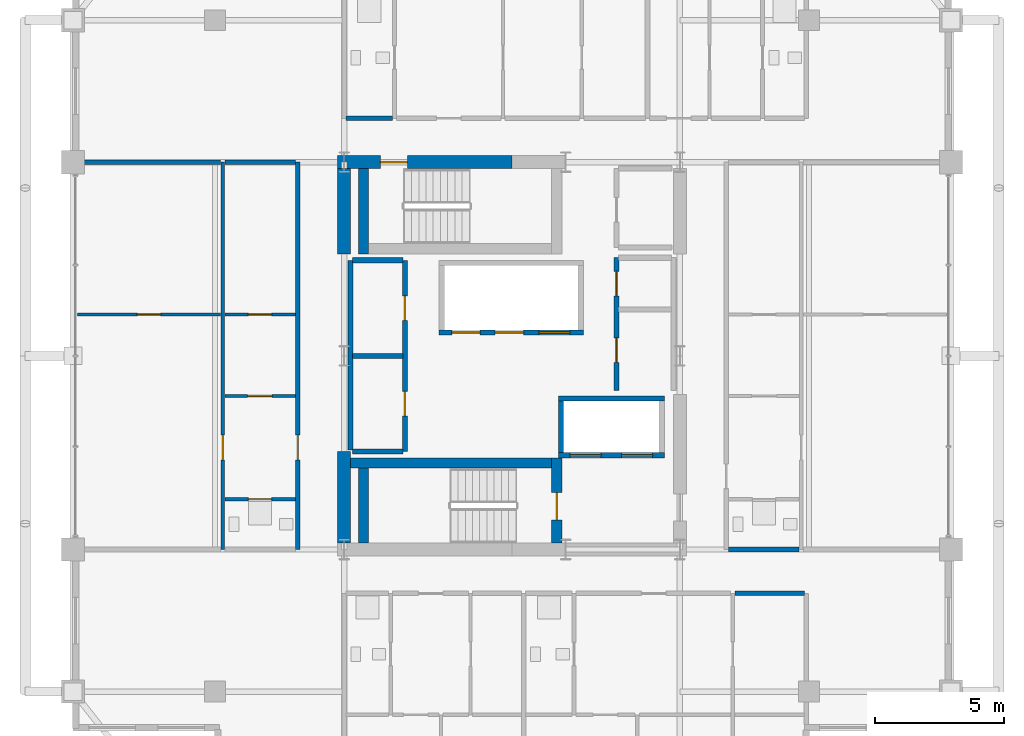
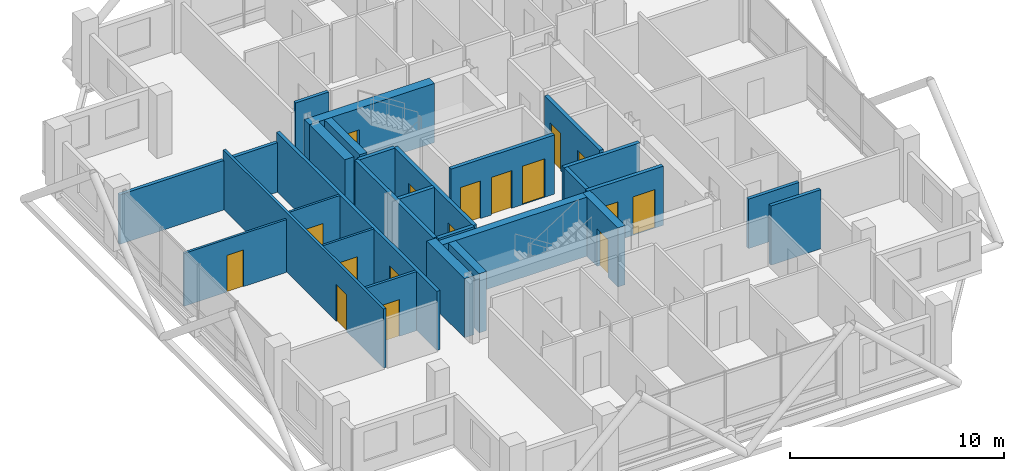
# One storey, part 20 of 25: 28 walls, 17 doors, 17 openings.
"""IFC4 building model written with IfcOpenShell, lengths in metres."""

from ifc_helpers import new_model, si_unit, direction, frame, frame_2d, origin, place, context, subcontext, project, spatial, rectangle, extrude, material, layer, layer_set, type_object, element, fill, save


model = new_model("IFC4")

# Units and contexts
model_context = context("Model", 3, precision=1e-05, world=origin(), true_north=direction((0.0, 1.0)))
body_context = subcontext(model_context, "Body", "Model", "MODEL_VIEW")
ifc_project = project(units=[si_unit("LENGTHUNIT", "METRE"), si_unit("AREAUNIT", "SQUARE_METRE"), si_unit("VOLUMEUNIT", "CUBIC_METRE"), si_unit("PLANEANGLEUNIT", "RADIAN"), si_unit("MASSUNIT", "GRAM", prefix="KILO")], contexts=[model_context])

# Site, building, storey
site_placement = place(None, origin())
site = spatial("IfcSite", under=ifc_project, at=site_placement, CompositionType="ELEMENT")
building_placement = place(site_placement, origin())
building = spatial("IfcBuilding", under=site, at=building_placement, Name="Barlavira Tower and Art Museum", CompositionType="ELEMENT")
storey_placement = place(building_placement, frame((0.0, 0.0, 229.5)))
storey = spatial("IfcBuildingStorey", under=building, at=storey_placement, Name="L59", CompositionType="ELEMENT", Elevation=229.5)

# Wall, opening, door
ifc_material_1 = material(Name="Gypsum acoustic stud partition", Category="gypsum")
ifc_layer_1 = layer(ifc_material_1, 0.1201171875, Name="Gypsum acoustic stud partition")
ifc_layer_set_1 = layer_set([ifc_layer_1], Name="Gypsum acoustic stud partition")
wall_type_1 = type_object("IfcWallType", Name="Apartment Internal Acoustic Partition 120", PredefinedType="PARTITIONING", material=ifc_layer_set_1)
wall_1_placement = place(storey_placement, frame((-11.1201171875, -1.550048828125, 0.0), z_axis=(0.0, 0.0, 1.0), x_axis=(1.0, 0.0, 0.0)))
wall_1 = element("IfcWall", 1, at=wall_1_placement, inside=storey, type_object=wall_type_1, Name="L59 Partition Wall 51", PredefinedType="PARTITIONING", context=body_context, shape_type="SweptSolid", body=[
    extrude(rectangle(XDim=2.740234375, YDim=0.1201171875, at=frame_2d((1.3701171875, 0.0))), origin(), (0.0, 0.0, 1.0), 3.3798828125),
])
opening_1_placement = place(wall_1_placement, frame((0.885009765625, 0.0, 0.0)))
opening_1 = element("IfcOpeningElement", 2, at=opening_1_placement, cuts=wall_1, Name="Opening D-02", PredefinedType="OPENING", context=body_context, shape_type="SweptSolid", body=[
    extrude(rectangle(XDim=0.949951171875, YDim=2.10009765625, at=frame_2d((0.47509765625, 1.050048828125))), frame((0.0, 0.070068359375, 0.0), z_axis=(0.0, -1.0, 0.0), x_axis=(1.0, 0.0, 0.0)), (0.0, 0.0, 1.0), 0.14013671875),
])
ifc_material_2 = material(Name="Engineered coastal hardwood", Category="wood")
door_type_1 = type_object("IfcDoorType", Name="Living and Salon Glazed-Leaf Door 950x2100", OperationType="NOTDEFINED", PredefinedType="DOOR", material=ifc_material_2)
door_1_placement = place(opening_1_placement, origin())
door_1 = element("IfcDoor", 3, at=door_1_placement, inside=storey, type_object=door_type_1, Name="Apartment W1 Kitchen Door", OperationType="SINGLE_SWING_LEFT", OverallHeight=2.10009765625, OverallWidth=0.949951171875, PredefinedType="DOOR", context=body_context, shape_type="SweptSolid", body=[
    extrude(rectangle(XDim=0.949951171875, YDim=2.10009765625, at=frame_2d((0.47509765625, 1.050048828125))), frame((0.0, 0.02490234375, 0.0), z_axis=(0.0, -1.0, 0.0), x_axis=(1.0, 0.0, 0.0)), (0.0, 0.0, 1.0), 0.050048828125),
])
fill(opening_1, door_1)

wall_2_placement = place(storey_placement, frame((-16.820068359375, 1.60009765625, 0.0), z_axis=(0.0, 0.0, 1.0), x_axis=(1.0, 0.0, 0.0)))
wall_2 = element("IfcWall", 4, at=wall_2_placement, inside=storey, type_object=wall_type_1, Name="L59 Partition Wall 54", PredefinedType="PARTITIONING", context=body_context, shape_type="SweptSolid", body=[
    extrude(rectangle(XDim=5.5400390625, YDim=0.1201171875, at=frame_2d((2.77001953125, 0.0))), origin(), (0.0, 0.0, 1.0), 3.01806640625),
])
opening_2_placement = place(wall_2_placement, frame((2.31005859375, 0.0, 0.0)))
opening_2 = element("IfcOpeningElement", 5, at=opening_2_placement, cuts=wall_2, Name="Opening D-01", PredefinedType="OPENING", context=body_context, shape_type="SweptSolid", body=[
    extrude(rectangle(XDim=0.89990234375, YDim=2.10009765625, at=frame_2d((0.449951171875, 1.050048828125))), frame((0.0, 0.070068359375, 0.0), z_axis=(0.0, -1.0, 0.0), x_axis=(1.0, 0.0, 0.0)), (0.0, 0.0, 1.0), 0.14013671875),
])
door_type_2 = type_object("IfcDoorType", Name="Internal Bedroom Timber Flush Door 900x2100", OperationType="NOTDEFINED", PredefinedType="DOOR", material=ifc_material_2)
door_2_placement = place(opening_2_placement, origin())
door_2 = element("IfcDoor", 6, at=door_2_placement, inside=storey, type_object=door_type_2, Name="Apartment W1 Bedroom 1 Door", OperationType="SINGLE_SWING_RIGHT", OverallHeight=2.10009765625, OverallWidth=0.89990234375, PredefinedType="DOOR", context=body_context, shape_type="SweptSolid", body=[
    extrude(rectangle(XDim=0.89990234375, YDim=2.10009765625, at=frame_2d((0.449951171875, 1.050048828125))), frame((0.0, 0.02490234375, 0.0), z_axis=(0.0, -1.0, 0.0), x_axis=(1.0, 0.0, 0.0)), (0.0, 0.0, 1.0), 0.050048828125),
])
fill(opening_2, door_2)

wall_3_placement = place(storey_placement, frame((-11.1201171875, 1.60009765625, 0.0), z_axis=(0.0, 0.0, 1.0), x_axis=(1.0, 0.0, 0.0)))
wall_3 = element("IfcWall", 7, at=wall_3_placement, inside=storey, type_object=wall_type_1, Name="L59 Partition Wall 55", PredefinedType="PARTITIONING", context=body_context, shape_type="SweptSolid", body=[
    extrude(rectangle(XDim=2.740234375, YDim=0.1201171875, at=frame_2d((1.3701171875, 0.0))), origin(), (0.0, 0.0, 1.0), 3.3798828125),
])
opening_3_placement = place(wall_3_placement, frame((0.909912109375, 0.0, 0.0)))
opening_3 = element("IfcOpeningElement", 8, at=opening_3_placement, cuts=wall_3, Name="Opening D-01", PredefinedType="OPENING", context=body_context, shape_type="SweptSolid", body=[
    extrude(rectangle(XDim=0.89990234375, YDim=2.10009765625, at=frame_2d((0.449951171875, 1.050048828125))), frame((0.0, 0.070068359375, 0.0), z_axis=(0.0, -1.0, 0.0), x_axis=(1.0, 0.0, 0.0)), (0.0, 0.0, 1.0), 0.14013671875),
])
door_3_placement = place(opening_3_placement, origin())
door_3 = element("IfcDoor", 9, at=door_3_placement, inside=storey, type_object=door_type_2, Name="Apartment W1 Walk-In Dressing Room Door", OperationType="SINGLE_SWING_RIGHT", OverallHeight=2.10009765625, OverallWidth=0.89990234375, PredefinedType="DOOR", context=body_context, shape_type="SweptSolid", body=[
    extrude(rectangle(XDim=0.89990234375, YDim=2.10009765625, at=frame_2d((0.449951171875, 1.050048828125))), frame((0.0, 0.02490234375, 0.0), z_axis=(0.0, -1.0, 0.0), x_axis=(1.0, 0.0, 0.0)), (0.0, 0.0, 1.0), 0.050048828125),
])
fill(opening_3, door_3)

ifc_material_3 = material(Name="Concrete C60", Category="concrete")
ifc_layer_2 = layer(ifc_material_3, 0.5, Name="Concrete C60")
ifc_layer_set_2 = layer_set([ifc_layer_2], Name="Concrete C60")
wall_type_2 = type_object("IfcWallType", Name="Core Structural Shear Wall 500 Concrete C60", PredefinedType="SHEAR", material=ifc_layer_set_2)
wall_4_placement = place(storey_placement, frame((-6.75, 7.5, 0.0), z_axis=(0.0, 0.0, 1.0), x_axis=(1.0, 0.0, 0.0)))
wall_4 = element("IfcWall", 10, at=wall_4_placement, inside=storey, type_object=wall_type_2, Name="L59 Core Shear Wall CS-NW", PredefinedType="SHEAR", context=body_context, shape_type="SweptSolid", body=[
    extrude(rectangle(XDim=6.75, YDim=0.5, at=frame_2d((3.375, 0.0))), origin(), (0.0, 0.0, 1.0), 3.3798828125),
])
opening_4_placement = place(wall_4_placement, frame((1.64990234375, 0.0, 0.0)))
opening_4 = element("IfcOpeningElement", 11, at=opening_4_placement, cuts=wall_4, Name="Opening FD-90", PredefinedType="OPENING", context=body_context, shape_type="SweptSolid", body=[
    extrude(rectangle(XDim=1.050048828125, YDim=2.14990234375, at=frame_2d((0.52490234375, 1.074951171875))), frame((0.0, 0.260009765625, 0.0), z_axis=(0.0, -1.0, 0.0), x_axis=(1.0, 0.0, 0.0)), (0.0, 0.0, 1.0), 0.52001953125),
])
ifc_material_4 = material(Name="Brushed stainless steel", Category="steel")
door_type_3 = type_object("IfcDoorType", Name="Stair and Refuge Fire Door 1050x2150 FD90S", OperationType="NOTDEFINED", PredefinedType="DOOR", material=ifc_material_4)
door_4_placement = place(opening_4_placement, origin())
door_4 = element("IfcDoor", 12, at=door_4_placement, inside=storey, type_object=door_type_3, Name="L59 Stair ST-T2 Fire Door", OperationType="SINGLE_SWING_LEFT", OverallHeight=2.14990234375, OverallWidth=1.050048828125, PredefinedType="DOOR", context=body_context, shape_type="SweptSolid", body=[
    extrude(rectangle(XDim=1.050048828125, YDim=2.14990234375, at=frame_2d((0.52490234375, 1.074951171875))), frame((0.0, 0.02490234375, 0.0), z_axis=(0.0, -1.0, 0.0), x_axis=(1.0, 0.0, 0.0)), (0.0, 0.0, 1.0), 0.050048828125),
])
fill(opening_4, door_4)

# Walls
wall_5_placement = place(storey_placement, frame((-6.5, -7.25, 0.0), z_axis=(0.0, 0.0, 1.0), x_axis=(0.0, 1.0, 0.0)))
element("IfcWall", 13, at=wall_5_placement, inside=storey, type_object=wall_type_2, Name="L59 Core Shear Wall CS-W1", PredefinedType="SHEAR", context=body_context, shape_type="SweptSolid", body=[
    extrude(rectangle(XDim=3.550048828125, YDim=0.5, at=frame_2d((1.77490234375, 0.0))), origin(), (0.0, 0.0, 1.0), 3.3798828125),
])
wall_6_placement = place(storey_placement, frame((-6.5, 3.949951171875, 0.0), z_axis=(0.0, 0.0, 1.0), x_axis=(0.0, 1.0, 0.0)))
element("IfcWall", 14, at=wall_6_placement, inside=storey, type_object=wall_type_2, Name="L59 Core Shear Wall CS-W2", PredefinedType="SHEAR", context=body_context, shape_type="SweptSolid", body=[
    extrude(rectangle(XDim=3.300048828125, YDim=0.5, at=frame_2d((1.64990234375, 0.0))), origin(), (0.0, 0.0, 1.0), 3.3798828125),
])

# Wall, openings, doors
ifc_material_5 = material(Name="Autoclaved aerated concrete masonry", Category="masonry")
ifc_layer_3 = layer(ifc_material_5, 0.199951171875, Name="Autoclaved aerated concrete masonry")
ifc_layer_set_3 = layer_set([ifc_layer_3], Name="Autoclaved aerated concrete masonry")
wall_type_3 = type_object("IfcWallType", Name="Fire Compartment and Shaft Wall 200", PredefinedType="SOLIDWALL", material=ifc_layer_set_3)
wall_7_placement = place(storey_placement, frame((-2.820068359375, 0.89990234375, 0.0), z_axis=(0.0, 0.0, 1.0), x_axis=(1.0, 0.0, 0.0)))
wall_7 = element("IfcWall", 15, at=wall_7_placement, inside=storey, type_object=wall_type_3, Name="L59 High-Rise & Service Lift Front Wall", PredefinedType="SOLIDWALL", context=body_context, shape_type="SweptSolid", body=[
    extrude(rectangle(XDim=5.580078125, YDim=0.199951171875, at=frame_2d((2.7900390625, 0.0))), origin(), (0.0, 0.0, 1.0), 3.3798828125),
])
opening_5_placement = place(wall_7_placement, frame((0.489990234375, 0.0, 0.0)))
opening_5 = element("IfcOpeningElement", 16, at=opening_5_placement, cuts=wall_7, Name="Opening LD-P", PredefinedType="OPENING", context=body_context, shape_type="SweptSolid", body=[
    extrude(rectangle(XDim=1.10009765625, YDim=2.14990234375, at=frame_2d((0.550048828125, 1.074951171875))), frame((0.0, 0.10986328125, 0.0), z_axis=(0.0, -1.0, 0.0), x_axis=(1.0, 0.0, 0.0)), (0.0, 0.0, 1.0), 0.219970703125),
])
opening_6_placement = place(wall_7_placement, frame((2.169921875, 0.0, 0.0)))
opening_6 = element("IfcOpeningElement", 17, at=opening_6_placement, cuts=wall_7, Name="Opening LD-P", PredefinedType="OPENING", context=body_context, shape_type="SweptSolid", body=[
    extrude(rectangle(XDim=1.10009765625, YDim=2.14990234375, at=frame_2d((0.550048828125, 1.074951171875))), frame((0.0, 0.10986328125, 0.0), z_axis=(0.0, -1.0, 0.0), x_axis=(1.0, 0.0, 0.0)), (0.0, 0.0, 1.0), 0.219970703125),
])
opening_7_placement = place(wall_7_placement, frame((3.860107421875, 0.0, 0.0)))
opening_7 = element("IfcOpeningElement", 18, at=opening_7_placement, cuts=wall_7, Name="Opening LD-F", PredefinedType="OPENING", context=body_context, shape_type="SweptSolid", body=[
    extrude(rectangle(XDim=1.199951171875, YDim=2.199951171875, at=frame_2d((0.60009765625, 1.10009765625))), frame((0.0, 0.10986328125, 0.0), z_axis=(0.0, -1.0, 0.0), x_axis=(1.0, 0.0, 0.0)), (0.0, 0.0, 1.0), 0.219970703125),
])
door_type_4 = type_object("IfcDoorType", Name="Firefighting and Service Lift Sliding Door 1200x2200 FD120", OperationType="NOTDEFINED", PredefinedType="DOOR", material=ifc_material_4)
door_5_placement = place(opening_7_placement, origin())
door_5 = element("IfcDoor", 19, at=door_5_placement, inside=storey, type_object=door_type_4, Name="L59 Stretcher Service Lift SL1 Sliding Door", OperationType="DOUBLE_DOOR_SLIDING", OverallHeight=2.199951171875, OverallWidth=1.199951171875, PredefinedType="DOOR", context=body_context, shape_type="SweptSolid", body=[
    extrude(rectangle(XDim=1.199951171875, YDim=2.199951171875, at=frame_2d((0.60009765625, 1.10009765625))), frame((0.0, 0.02490234375, 0.0), z_axis=(0.0, -1.0, 0.0), x_axis=(1.0, 0.0, 0.0)), (0.0, 0.0, 1.0), 0.050048828125),
])
fill(opening_7, door_5)
door_type_5 = type_object("IfcDoorType", Name="Passenger Lift Sliding Landing Door 1100x2150 FD60", OperationType="NOTDEFINED", PredefinedType="DOOR", material=ifc_material_4)
door_6_placement = place(opening_5_placement, origin())
door_6 = element("IfcDoor", 20, at=door_6_placement, inside=storey, type_object=door_type_5, Name="L59 Lift PH1 Sliding Landing Door", OperationType="DOUBLE_DOOR_SLIDING", OverallHeight=2.14990234375, OverallWidth=1.10009765625, PredefinedType="DOOR", context=body_context, shape_type="SweptSolid", body=[
    extrude(rectangle(XDim=1.10009765625, YDim=2.14990234375, at=frame_2d((0.550048828125, 1.074951171875))), frame((0.0, 0.02490234375, 0.0), z_axis=(0.0, -1.0, 0.0), x_axis=(1.0, 0.0, 0.0)), (0.0, 0.0, 1.0), 0.050048828125),
])
fill(opening_5, door_6)
door_7_placement = place(opening_6_placement, origin())
door_7 = element("IfcDoor", 21, at=door_7_placement, inside=storey, type_object=door_type_5, Name="L59 Lift PH2 Sliding Landing Door", OperationType="DOUBLE_DOOR_SLIDING", OverallHeight=2.14990234375, OverallWidth=1.10009765625, PredefinedType="DOOR", context=body_context, shape_type="SweptSolid", body=[
    extrude(rectangle(XDim=1.10009765625, YDim=2.14990234375, at=frame_2d((0.550048828125, 1.074951171875))), frame((0.0, 0.02490234375, 0.0), z_axis=(0.0, -1.0, 0.0), x_axis=(1.0, 0.0, 0.0)), (0.0, 0.0, 1.0), 0.050048828125),
])
fill(opening_6, door_7)

wall_8_placement = place(storey_placement, frame((1.800048828125, -3.85009765625, 0.0), z_axis=(0.0, 0.0, 1.0), x_axis=(1.0, 0.0, 0.0)))
wall_8 = element("IfcWall", 22, at=wall_8_placement, inside=storey, type_object=wall_type_3, Name="L59 Firefighting Lift Front Shaft Wall", PredefinedType="SOLIDWALL", context=body_context, shape_type="SweptSolid", body=[
    extrude(rectangle(XDim=4.099853515625, YDim=0.199951171875, at=frame_2d((2.0498046875, 0.0))), origin(), (0.0, 0.0, 1.0), 3.3798828125),
])
opening_8_placement = place(wall_8_placement, frame((0.449951171875, 0.0, 0.0)))
opening_8 = element("IfcOpeningElement", 23, at=opening_8_placement, cuts=wall_8, Name="Opening LD-F", PredefinedType="OPENING", context=body_context, shape_type="SweptSolid", body=[
    extrude(rectangle(XDim=1.199951171875, YDim=2.199951171875, at=frame_2d((0.60009765625, 1.10009765625))), frame((0.0, 0.10986328125, 0.0), z_axis=(0.0, -1.0, 0.0), x_axis=(1.0, 0.0, 0.0)), (0.0, 0.0, 1.0), 0.219970703125),
])
opening_9_placement = place(wall_8_placement, frame((2.449951171875, 0.0, 0.0)))
opening_9 = element("IfcOpeningElement", 24, at=opening_9_placement, cuts=wall_8, Name="Opening LD-F", PredefinedType="OPENING", context=body_context, shape_type="SweptSolid", body=[
    extrude(rectangle(XDim=1.199951171875, YDim=2.199951171875, at=frame_2d((0.60009765625, 1.10009765625))), frame((0.0, 0.10986328125, 0.0), z_axis=(0.0, -1.0, 0.0), x_axis=(1.0, 0.0, 0.0)), (0.0, 0.0, 1.0), 0.219970703125),
])
door_8_placement = place(opening_8_placement, origin())
door_8 = element("IfcDoor", 25, at=door_8_placement, inside=storey, type_object=door_type_4, Name="L59 Firefighting Lift FF1 Sliding Door", OperationType="DOUBLE_DOOR_SLIDING", OverallHeight=2.199951171875, OverallWidth=1.199951171875, PredefinedType="DOOR", context=body_context, shape_type="SweptSolid", body=[
    extrude(rectangle(XDim=1.199951171875, YDim=2.199951171875, at=frame_2d((0.60009765625, 1.10009765625))), frame((0.0, 0.02490234375, 0.0), z_axis=(0.0, -1.0, 0.0), x_axis=(1.0, 0.0, 0.0)), (0.0, 0.0, 1.0), 0.050048828125),
])
fill(opening_8, door_8)
door_9_placement = place(opening_9_placement, origin())
door_9 = element("IfcDoor", 26, at=door_9_placement, inside=storey, type_object=door_type_4, Name="L59 Firefighting Lift FF2 Sliding Door", OperationType="DOUBLE_DOOR_SLIDING", OverallHeight=2.199951171875, OverallWidth=1.199951171875, PredefinedType="DOOR", context=body_context, shape_type="SweptSolid", body=[
    extrude(rectangle(XDim=1.199951171875, YDim=2.199951171875, at=frame_2d((0.60009765625, 1.10009765625))), frame((0.0, 0.02490234375, 0.0), z_axis=(0.0, -1.0, 0.0), x_axis=(1.0, 0.0, 0.0)), (0.0, 0.0, 1.0), 0.050048828125),
])
fill(opening_9, door_9)

# Walls
wall_9_placement = place(storey_placement, frame((1.800048828125, -1.64990234375, 0.0), z_axis=(0.0, 0.0, 1.0), x_axis=(1.0, 0.0, 0.0)))
element("IfcWall", 27, at=wall_9_placement, inside=storey, type_object=wall_type_3, Name="L59 Firefighting Lift Back Shaft Wall", PredefinedType="SOLIDWALL", context=body_context, shape_type="SweptSolid", body=[
    extrude(rectangle(XDim=4.099853515625, YDim=0.199951171875, at=frame_2d((2.0498046875, 0.0))), origin(), (0.0, 0.0, 1.0), 3.3798828125),
])
wall_10_placement = place(storey_placement, frame((1.89990234375, -3.75, 0.0), z_axis=(0.0, 0.0, 1.0), x_axis=(0.0, 1.0, 0.0)))
element("IfcWall", 28, at=wall_10_placement, inside=storey, type_object=wall_type_3, Name="L59 Firefighting Lift West Shaft Wall", PredefinedType="SOLIDWALL", context=body_context, shape_type="SweptSolid", body=[
    extrude(rectangle(XDim=2.0, YDim=0.199951171875, at=frame_2d((1.0, 0.0))), origin(), (0.0, 0.0, 1.0), 3.3798828125),
])
wall_11_placement = place(storey_placement, frame((-6.25, -3.639892578125, 0.0), z_axis=(0.0, 0.0, 1.0), x_axis=(0.0, 1.0, 0.0)))
element("IfcWall", 29, at=wall_11_placement, inside=storey, type_object=wall_type_3, Name="L59 Partition Wall 5", PredefinedType="SOLIDWALL", context=body_context, shape_type="SweptSolid", body=[
    extrude(rectangle(XDim=7.33984375, YDim=0.199951171875, at=frame_2d((3.669921875, 0.0))), origin(), (0.0, 0.0, 1.0), 3.3798828125),
])

# Wall, openings, doors
wall_12_placement = place(storey_placement, frame((-4.14990234375, -3.699951171875, 0.0), z_axis=(0.0, 0.0, 1.0), x_axis=(0.0, 1.0, 0.0)))
wall_12 = element("IfcWall", 30, at=wall_12_placement, inside=storey, type_object=wall_type_3, Name="L59 Partition Wall 8", PredefinedType="SOLIDWALL", context=body_context, shape_type="SweptSolid", body=[
    extrude(rectangle(XDim=7.39990234375, YDim=0.199951171875, at=frame_2d((3.699951171875, 0.0))), origin(), (0.0, 0.0, 1.0), 3.3798828125),
])
opening_10_placement = place(wall_12_placement, frame((1.375, 0.0, 0.0)))
opening_10 = element("IfcOpeningElement", 31, at=opening_10_placement, cuts=wall_12, Name="Opening FD-60", PredefinedType="OPENING", context=body_context, shape_type="SweptSolid", body=[
    extrude(rectangle(XDim=0.949951171875, YDim=2.14990234375, at=frame_2d((0.47509765625, 1.074951171875))), frame((0.0, 0.10986328125, 0.0), z_axis=(0.0, -1.0, 0.0), x_axis=(1.0, 0.0, 0.0)), (0.0, 0.0, 1.0), 0.219970703125),
])
opening_11_placement = place(wall_12_placement, frame((5.074951171875, 0.0, 0.0)))
opening_11 = element("IfcOpeningElement", 32, at=opening_11_placement, cuts=wall_12, Name="Opening FD-60", PredefinedType="OPENING", context=body_context, shape_type="SweptSolid", body=[
    extrude(rectangle(XDim=0.949951171875, YDim=2.14990234375, at=frame_2d((0.47509765625, 1.074951171875))), frame((0.0, 0.10986328125, 0.0), z_axis=(0.0, -1.0, 0.0), x_axis=(1.0, 0.0, 0.0)), (0.0, 0.0, 1.0), 0.219970703125),
])
door_type_6 = type_object("IfcDoorType", Name="Apartment Entrance and Riser Fire Door 950x2150 FD60S", OperationType="NOTDEFINED", PredefinedType="DOOR", material=ifc_material_4)
door_10_placement = place(opening_10_placement, origin())
door_10 = element("IfcDoor", 33, at=door_10_placement, inside=storey, type_object=door_type_6, Name="Reclaimed Core Linen and Amenity Store Door", OperationType="SINGLE_SWING_LEFT", OverallHeight=2.14990234375, OverallWidth=0.949951171875, PredefinedType="DOOR", context=body_context, shape_type="SweptSolid", body=[
    extrude(rectangle(XDim=0.949951171875, YDim=2.14990234375, at=frame_2d((0.47509765625, 1.074951171875))), frame((0.0, 0.02490234375, 0.0), z_axis=(0.0, -1.0, 0.0), x_axis=(1.0, 0.0, 0.0)), (0.0, 0.0, 1.0), 0.050048828125),
])
fill(opening_10, door_10)
door_11_placement = place(opening_11_placement, origin())
door_11 = element("IfcDoor", 34, at=door_11_placement, inside=storey, type_object=door_type_6, Name="Reclaimed Core Telecom and BMS Room Door", OperationType="SINGLE_SWING_RIGHT", OverallHeight=2.14990234375, OverallWidth=0.949951171875, PredefinedType="DOOR", context=body_context, shape_type="SweptSolid", body=[
    extrude(rectangle(XDim=0.949951171875, YDim=2.14990234375, at=frame_2d((0.47509765625, 1.074951171875))), frame((0.0, 0.02490234375, 0.0), z_axis=(0.0, -1.0, 0.0), x_axis=(1.0, 0.0, 0.0)), (0.0, 0.0, 1.0), 0.050048828125),
])
fill(opening_11, door_11)

wall_13_placement = place(storey_placement, frame((4.050048828125, -1.35009765625, 0.0), z_axis=(0.0, 0.0, 1.0), x_axis=(0.0, 1.0, 0.0)))
wall_13 = element("IfcWall", 35, at=wall_13_placement, inside=storey, type_object=wall_type_3, Name="L59 Partition Wall 17", PredefinedType="SOLIDWALL", context=body_context, shape_type="SweptSolid", body=[
    extrude(rectangle(XDim=5.150146484375, YDim=0.199951171875, at=frame_2d((2.5751953125, 0.0))), origin(), (0.0, 0.0, 1.0), 3.3798828125),
])
opening_12_placement = place(wall_13_placement, frame((1.094970703125, 0.0, 0.0)))
opening_12 = element("IfcOpeningElement", 36, at=opening_12_placement, cuts=wall_13, Name="Opening FD-60", PredefinedType="OPENING", context=body_context, shape_type="SweptSolid", body=[
    extrude(rectangle(XDim=0.949951171875, YDim=2.14990234375, at=frame_2d((0.47509765625, 1.074951171875))), frame((0.0, 0.10986328125, 0.0), z_axis=(0.0, -1.0, 0.0), x_axis=(1.0, 0.0, 0.0)), (0.0, 0.0, 1.0), 0.219970703125),
])
opening_13_placement = place(wall_13_placement, frame((3.675048828125, 0.0, 0.0)))
opening_13 = element("IfcOpeningElement", 37, at=opening_13_placement, cuts=wall_13, Name="Opening FD-60", PredefinedType="OPENING", context=body_context, shape_type="SweptSolid", body=[
    extrude(rectangle(XDim=0.949951171875, YDim=2.14990234375, at=frame_2d((0.47509765625, 1.074951171875))), frame((0.0, 0.10986328125, 0.0), z_axis=(0.0, -1.0, 0.0), x_axis=(1.0, 0.0, 0.0)), (0.0, 0.0, 1.0), 0.219970703125),
])
door_12_placement = place(opening_12_placement, origin())
door_12 = element("IfcDoor", 38, at=door_12_placement, inside=storey, type_object=door_type_6, Name="Reclaimed Upper Core IT Hub Door", OperationType="SINGLE_SWING_LEFT", OverallHeight=2.14990234375, OverallWidth=0.949951171875, PredefinedType="DOOR", context=body_context, shape_type="SweptSolid", body=[
    extrude(rectangle(XDim=0.949951171875, YDim=2.14990234375, at=frame_2d((0.47509765625, 1.074951171875))), frame((0.0, 0.02490234375, 0.0), z_axis=(0.0, -1.0, 0.0), x_axis=(1.0, 0.0, 0.0)), (0.0, 0.0, 1.0), 0.050048828125),
])
fill(opening_12, door_12)
door_13_placement = place(opening_13_placement, origin())
door_13 = element("IfcDoor", 39, at=door_13_placement, inside=storey, type_object=door_type_6, Name="Reclaimed Upper Core Archive Closet Door", OperationType="SINGLE_SWING_RIGHT", OverallHeight=2.14990234375, OverallWidth=0.949951171875, PredefinedType="DOOR", context=body_context, shape_type="SweptSolid", body=[
    extrude(rectangle(XDim=0.949951171875, YDim=2.14990234375, at=frame_2d((0.47509765625, 1.074951171875))), frame((0.0, 0.02490234375, 0.0), z_axis=(0.0, -1.0, 0.0), x_axis=(1.0, 0.0, 0.0)), (0.0, 0.0, 1.0), 0.050048828125),
])
fill(opening_13, door_13)

# Walls
for number, where, z_axis, x_axis, name in (
    (40, (-6.169921875, -3.699951171875, 0.0), (0.0, 0.0, 1.0), (1.0, 0.0, 0.0), "L59 Partition Wall 50"),
    (41, (-6.169921875, 0.0, 0.0), (0.0, 0.0, 1.0), (1.0, 0.0, 0.0), "L59 Partition Wall 53"),
    (42, (-6.169921875, 3.699951171875, 0.0), (0.0, 0.0, 1.0), (1.0, 0.0, 0.0), "L59 Partition Wall 59"),
):
    element("IfcWall", number, at=place(storey_placement, frame(where, z_axis=z_axis, x_axis=x_axis)), inside=storey, type_object=wall_type_3, Name=name, PredefinedType="SOLIDWALL", context=body_context, shape_type="SweptSolid", body=[
        extrude(rectangle(XDim=1.93994140625, YDim=0.199951171875, at=frame_2d((0.969970703125, 0.0))), origin(), (0.0, 0.0, 1.0), 3.3798828125),
    ])

# Wall, opening, door
ifc_layer_4 = layer(ifc_material_1, 0.179931640625, Name="Gypsum acoustic stud partition")
ifc_layer_set_4 = layer_set([ifc_layer_4], Name="Gypsum acoustic stud partition")
wall_type_4 = type_object("IfcWallType", Name="Inter-Tenancy Party Partition Wall 180", PredefinedType="PARTITIONING", material=ifc_layer_set_4)
wall_14_placement = place(storey_placement, frame((-8.300048828125, -7.5, 0.0), z_axis=(0.0, 0.0, 1.0), x_axis=(0.0, 1.0, 0.0)))
wall_14 = element("IfcWall", 43, at=wall_14_placement, inside=storey, type_object=wall_type_4, Name="L59 Partition Wall 2", PredefinedType="PARTITIONING", context=body_context, shape_type="SweptSolid", body=[
    extrude(rectangle(XDim=15.0, YDim=0.179931640625, at=frame_2d((7.5, 0.0))), origin(), (0.0, 0.0, 1.0), 3.3798828125),
])
opening_14_placement = place(wall_14_placement, frame((3.47509765625, 0.0, 0.0)))
opening_14 = element("IfcOpeningElement", 44, at=opening_14_placement, cuts=wall_14, Name="Opening FD-60", PredefinedType="OPENING", context=body_context, shape_type="SweptSolid", body=[
    extrude(rectangle(XDim=0.949951171875, YDim=2.14990234375, at=frame_2d((0.47509765625, 1.074951171875))), frame((0.0, 0.10009765625, 0.0), z_axis=(0.0, -1.0, 0.0), x_axis=(1.0, 0.0, 0.0)), (0.0, 0.0, 1.0), 0.199951171875),
])
door_14_placement = place(opening_14_placement, origin())
door_14 = element("IfcDoor", 45, at=door_14_placement, inside=storey, type_object=door_type_6, Name="Apartment Entrance Hall W1 Door", OperationType="SINGLE_SWING_RIGHT", OverallHeight=2.14990234375, OverallWidth=0.949951171875, PredefinedType="DOOR", context=body_context, shape_type="SweptSolid", body=[
    extrude(rectangle(XDim=0.949951171875, YDim=2.14990234375, at=frame_2d((0.47509765625, 1.074951171875))), frame((0.0, 0.02490234375, 0.0), z_axis=(0.0, -1.0, 0.0), x_axis=(1.0, 0.0, 0.0)), (0.0, 0.0, 1.0), 0.050048828125),
])
fill(opening_14, door_14)

# Walls
wall_15_placement = place(storey_placement, frame((8.6298828125, -9.199951171875, 0.0), z_axis=(0.0, 0.0, 1.0), x_axis=(1.0, 0.0, 0.0)))
element("IfcWall", 46, at=wall_15_placement, inside=storey, type_object=wall_type_4, Name="L59 Partition Wall 43", PredefinedType="PARTITIONING", context=body_context, shape_type="SweptSolid", body=[
    extrude(rectangle(XDim=2.690185546875, YDim=0.179931640625, at=frame_2d((1.34521484375, 0.0))), origin(), (0.0, 0.0, 1.0), 3.3798828125),
])
wall_16_placement = place(storey_placement, frame((8.3798828125, -7.5, 0.0), z_axis=(0.0, 0.0, 1.0), x_axis=(1.0, 0.0, 0.0)))
element("IfcWall", 47, at=wall_16_placement, inside=storey, type_object=wall_type_4, Name="L59 Partition Wall 46", PredefinedType="PARTITIONING", context=body_context, shape_type="SweptSolid", body=[
    extrude(rectangle(XDim=2.740234375, YDim=0.179931640625, at=frame_2d((1.3701171875, 0.0))), origin(), (0.0, 0.0, 1.0), 2.825927734375),
])
wall_17_placement = place(storey_placement, frame((-16.89990234375, 7.5, 0.0), z_axis=(0.0, 0.0, 1.0), x_axis=(1.0, 0.0, 0.0)))
element("IfcWall", 48, at=wall_17_placement, inside=storey, type_object=wall_type_4, Name="L59 Partition Wall 63", PredefinedType="PARTITIONING", context=body_context, shape_type="SweptSolid", body=[
    extrude(rectangle(XDim=5.619873046875, YDim=0.179931640625, at=frame_2d((2.81005859375, 0.0))), origin(), (0.0, 0.0, 1.0), 2.825927734375),
])
wall_18_placement = place(storey_placement, frame((-11.1201171875, 7.5, 0.0), z_axis=(0.0, 0.0, 1.0), x_axis=(1.0, 0.0, 0.0)))
element("IfcWall", 49, at=wall_18_placement, inside=storey, type_object=wall_type_4, Name="L59 Partition Wall 64", PredefinedType="PARTITIONING", context=body_context, shape_type="SweptSolid", body=[
    extrude(rectangle(XDim=2.740234375, YDim=0.179931640625, at=frame_2d((1.3701171875, 0.0))), origin(), (0.0, 0.0, 1.0), 2.825927734375),
])
wall_19_placement = place(storey_placement, frame((-6.419921875, 9.199951171875, 0.0), z_axis=(0.0, 0.0, 1.0), x_axis=(1.0, 0.0, 0.0)))
element("IfcWall", 50, at=wall_19_placement, inside=storey, type_object=wall_type_4, Name="L59 Partition Wall 67", PredefinedType="PARTITIONING", context=body_context, shape_type="SweptSolid", body=[
    extrude(rectangle(XDim=1.7900390625, YDim=0.179931640625, at=frame_2d((0.89501953125, 0.0))), origin(), (0.0, 0.0, 1.0), 3.3798828125),
])

# Wall, opening, door
ifc_layer_5 = layer(ifc_material_1, 0.139892578125, Name="Gypsum acoustic stud partition")
ifc_layer_set_5 = layer_set([ifc_layer_5], Name="Gypsum acoustic stud partition")
wall_type_5 = type_object("IfcWallType", Name="Moisture-Resistant Bathroom Partition 140", PredefinedType="PARTITIONING", material=ifc_layer_set_5)
wall_20_placement = place(storey_placement, frame((-11.199951171875, -7.5, 0.0), z_axis=(0.0, 0.0, 1.0), x_axis=(0.0, 1.0, 0.0)))
wall_20 = element("IfcWall", 51, at=wall_20_placement, inside=storey, type_object=wall_type_5, Name="L59 Partition Wall 1", PredefinedType="PARTITIONING", context=body_context, shape_type="SweptSolid", body=[
    extrude(rectangle(XDim=15.0, YDim=0.139892578125, at=frame_2d((7.5, 0.0))), origin(), (0.0, 0.0, 1.0), 3.3798828125),
])
opening_15_placement = place(wall_20_placement, frame((3.47509765625, 0.0, 0.0)))
opening_15 = element("IfcOpeningElement", 52, at=opening_15_placement, cuts=wall_20, Name="Opening D-02", PredefinedType="OPENING", context=body_context, shape_type="SweptSolid", body=[
    extrude(rectangle(XDim=0.949951171875, YDim=2.10009765625, at=frame_2d((0.47509765625, 1.050048828125))), frame((0.0, 0.080078125, 0.0), z_axis=(0.0, -1.0, 0.0), x_axis=(1.0, 0.0, 0.0)), (0.0, 0.0, 1.0), 0.159912109375),
])
door_15_placement = place(opening_15_placement, origin())
door_15 = element("IfcDoor", 53, at=door_15_placement, inside=storey, type_object=door_type_1, Name="Apartment W1 Living Lounge Door", OperationType="SINGLE_SWING_LEFT", OverallHeight=2.10009765625, OverallWidth=0.949951171875, PredefinedType="DOOR", context=body_context, shape_type="SweptSolid", body=[
    extrude(rectangle(XDim=0.949951171875, YDim=2.10009765625, at=frame_2d((0.47509765625, 1.050048828125))), frame((0.0, 0.02490234375, 0.0), z_axis=(0.0, -1.0, 0.0), x_axis=(1.0, 0.0, 0.0)), (0.0, 0.0, 1.0), 0.050048828125),
])
fill(opening_15, door_15)

wall_21_placement = place(storey_placement, frame((-11.1201171875, -5.550048828125, 0.0), z_axis=(0.0, 0.0, 1.0), x_axis=(1.0, 0.0, 0.0)))
wall_21 = element("IfcWall", 54, at=wall_21_placement, inside=storey, type_object=wall_type_5, Name="L59 Partition Wall 48", PredefinedType="PARTITIONING", context=body_context, shape_type="SweptSolid", body=[
    extrude(rectangle(XDim=2.740234375, YDim=0.139892578125, at=frame_2d((1.3701171875, 0.0))), origin(), (0.0, 0.0, 1.0), 3.3798828125),
])
opening_16_placement = place(wall_21_placement, frame((0.909912109375, 0.0, 0.0)))
opening_16 = element("IfcOpeningElement", 55, at=opening_16_placement, cuts=wall_21, Name="Opening D-WC", PredefinedType="OPENING", context=body_context, shape_type="SweptSolid", body=[
    extrude(rectangle(XDim=0.89990234375, YDim=2.10009765625, at=frame_2d((0.449951171875, 1.050048828125))), frame((0.0, 0.080078125, 0.0), z_axis=(0.0, -1.0, 0.0), x_axis=(1.0, 0.0, 0.0)), (0.0, 0.0, 1.0), 0.159912109375),
])
door_type_7 = type_object("IfcDoorType", Name="Accessible Bathroom Flush Door 900x2100", OperationType="NOTDEFINED", PredefinedType="DOOR", material=ifc_material_2)
door_16_placement = place(opening_16_placement, origin())
door_16 = element("IfcDoor", 56, at=door_16_placement, inside=storey, type_object=door_type_7, Name="Apartment W1 Hall Bathroom Door", OperationType="SINGLE_SWING_LEFT", OverallHeight=2.10009765625, OverallWidth=0.89990234375, PredefinedType="DOOR", context=body_context, shape_type="SweptSolid", body=[
    extrude(rectangle(XDim=0.89990234375, YDim=2.10009765625, at=frame_2d((0.449951171875, 1.050048828125))), frame((0.0, 0.02490234375, 0.0), z_axis=(0.0, -1.0, 0.0), x_axis=(1.0, 0.0, 0.0)), (0.0, 0.0, 1.0), 0.050048828125),
])
fill(opening_16, door_16)

# Walls
ifc_material_6 = material(Name="Concrete C55", Category="concrete")
ifc_layer_6 = layer(ifc_material_6, 0.39990234375, Name="Concrete C55")
ifc_layer_set_6 = layer_set([ifc_layer_6], Name="Concrete C55")
wall_type_6 = type_object("IfcWallType", Name="Upper Core Shear Wall 400 Concrete C55", PredefinedType="SHEAR", material=ifc_layer_set_6)
wall_22_placement = place(storey_placement, frame((-5.75, -7.25, 0.0), z_axis=(0.0, 0.0, 1.0), x_axis=(0.0, 1.0, 0.0)))
element("IfcWall", 57, at=wall_22_placement, inside=storey, type_object=wall_type_6, Name="L59 ST-T1 West Half-Landing Wall", PredefinedType="SHEAR", context=body_context, shape_type="SweptSolid", body=[
    extrude(rectangle(XDim=2.89990234375, YDim=0.39990234375, at=frame_2d((1.449951171875, 0.0))), origin(), (0.0, 0.0, 1.0), 3.3798828125),
])
wall_23_placement = place(storey_placement, frame((-6.25, -4.14990234375, 0.0), z_axis=(0.0, 0.0, 1.0), x_axis=(1.0, 0.0, 0.0)))
element("IfcWall", 58, at=wall_23_placement, inside=storey, type_object=wall_type_6, Name="L59 ST-T1 North Shaft Wall", PredefinedType="SHEAR", context=body_context, shape_type="SweptSolid", body=[
    extrude(rectangle(XDim=7.780029296875, YDim=0.39990234375, at=frame_2d((3.89013671875, 0.0))), origin(), (0.0, 0.0, 1.0), 3.3798828125),
])

# Wall, opening, door
wall_24_placement = place(storey_placement, frame((1.72998046875, -7.25, 0.0), z_axis=(0.0, 0.0, 1.0), x_axis=(0.0, 1.0, 0.0)))
wall_24 = element("IfcWall", 59, at=wall_24_placement, inside=storey, type_object=wall_type_6, Name="L59 ST-T1 East Landing Wall", PredefinedType="SHEAR", context=body_context, shape_type="SweptSolid", body=[
    extrude(rectangle(XDim=3.300048828125, YDim=0.39990234375, at=frame_2d((1.64990234375, 0.0))), origin(), (0.0, 0.0, 1.0), 3.3798828125),
])
opening_17_placement = place(wall_24_placement, frame((0.89990234375, 0.0, 0.0)))
opening_17 = element("IfcOpeningElement", 60, at=opening_17_placement, cuts=wall_24, Name="Opening FD-90", PredefinedType="OPENING", context=body_context, shape_type="SweptSolid", body=[
    extrude(rectangle(XDim=1.050048828125, YDim=2.14990234375, at=frame_2d((0.52490234375, 1.074951171875))), frame((0.0, 0.2099609375, 0.0), z_axis=(0.0, -1.0, 0.0), x_axis=(1.0, 0.0, 0.0)), (0.0, 0.0, 1.0), 0.419921875),
])
door_17_placement = place(opening_17_placement, origin())
door_17 = element("IfcDoor", 61, at=door_17_placement, inside=storey, type_object=door_type_3, Name="L59 Stair ST-T1 Fire Door", OperationType="SINGLE_SWING_RIGHT", OverallHeight=2.14990234375, OverallWidth=1.050048828125, PredefinedType="DOOR", context=body_context, shape_type="SweptSolid", body=[
    extrude(rectangle(XDim=1.050048828125, YDim=2.14990234375, at=frame_2d((0.52490234375, 1.074951171875))), frame((0.0, 0.02490234375, 0.0), z_axis=(0.0, -1.0, 0.0), x_axis=(1.0, 0.0, 0.0)), (0.0, 0.0, 1.0), 0.050048828125),
])
fill(opening_17, door_17)

# Wall
wall_25_placement = place(storey_placement, frame((-5.75, 3.949951171875, 0.0), z_axis=(0.0, 0.0, 1.0), x_axis=(0.0, 1.0, 0.0)))
element("IfcWall", 62, at=wall_25_placement, inside=storey, type_object=wall_type_6, Name="L59 ST-T2 West Shaft Wall", PredefinedType="SHEAR", context=body_context, shape_type="SweptSolid", body=[
    extrude(rectangle(XDim=3.300048828125, YDim=0.39990234375, at=frame_2d((1.64990234375, 0.0))), origin(), (0.0, 0.0, 1.0), 3.3798828125),
])

save(model, "model.ifc")
